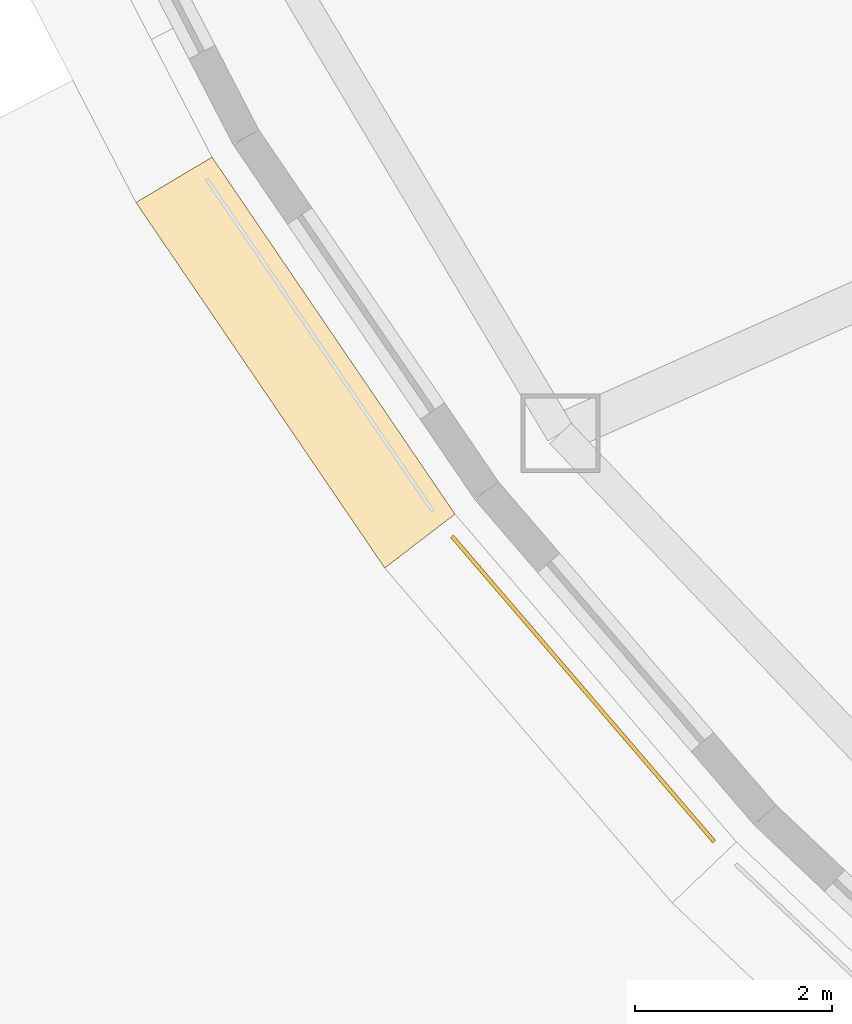
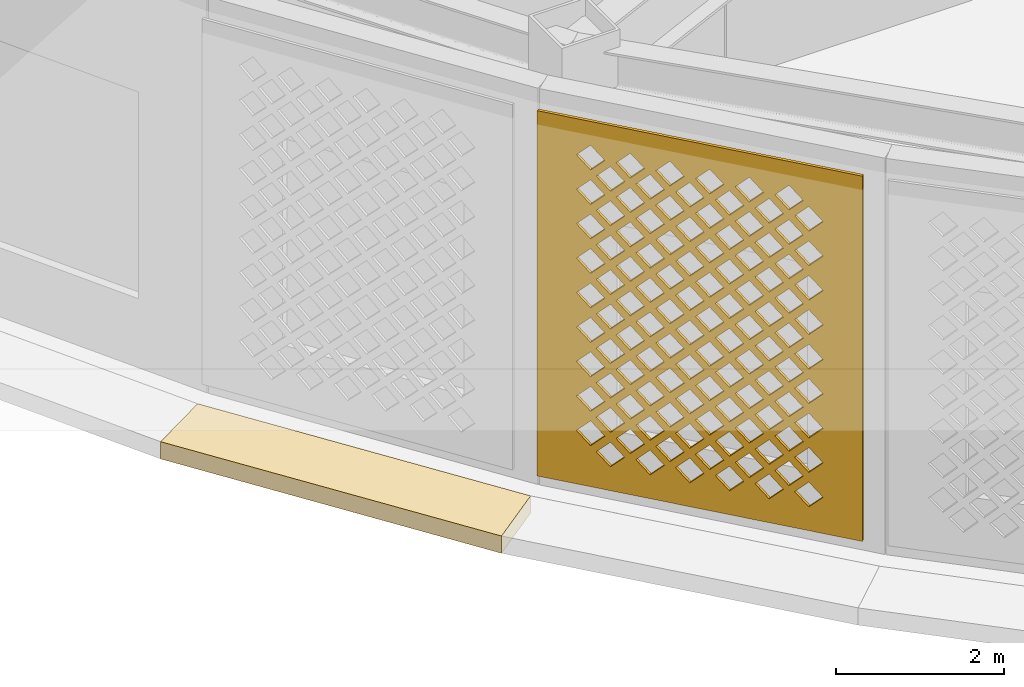
# One storey, part 38 of 74: 2 coverings.
"""IFC4 building model written with IfcOpenShell, lengths in metres."""

from ifc_helpers import new_model, si_unit, direction, frame, origin, place, context, subcontext, project, spatial, polyline, outline, extrude, material, layer, layer_set, type_object, element, save


model = new_model("IFC4")

# Units and contexts
model_context = context("Model", 3, precision=1e-05, world=origin(), true_north=direction((0.0, 1.0)))
body_context = subcontext(model_context, "Body", "Model", "MODEL_VIEW")
ifc_project = project(units=[si_unit("LENGTHUNIT", "METRE"), si_unit("AREAUNIT", "SQUARE_METRE"), si_unit("VOLUMEUNIT", "CUBIC_METRE"), si_unit("PLANEANGLEUNIT", "RADIAN"), si_unit("MASSUNIT", "GRAM", prefix="KILO")], contexts=[model_context])

# Site, building, storey
site_placement = place(None, origin())
site = spatial("IfcSite", under=ifc_project, at=site_placement, CompositionType="ELEMENT")
building_placement = place(site_placement, origin())
building = spatial("IfcBuilding", under=site, at=building_placement, Name="Noorbagh Ring Tower", CompositionType="ELEMENT")
storey_placement = place(building_placement, frame((0.0, 0.0, 7.5)))
storey = spatial("IfcBuildingStorey", under=building, at=storey_placement, Name="L01", CompositionType="ELEMENT", Elevation=7.5)

# Coverings
ifc_material_1 = material(Name="Red sandstone eave", Category="masonry")
covering_type_1 = type_object("IfcCoveringType", Name="STY-CHHAJJA", PredefinedType="USERDEFINED", material=ifc_material_1)
covering_1_placement = place(storey_placement, frame((0.0, 0.0, -0.25)))
element("IfcCovering", 1, at=covering_1_placement, inside=storey, type_object=covering_type_1, Name="Chhajja eave", ObjectType="CHHAJJA", PredefinedType="USERDEFINED", context=body_context, shape_type="SweptSolid", body=[
    extrude(outline(polyline([(-47.2431640625, -16.71337890625), (-44.77001953125, -20.346923828125), (-45.485595703125, -20.89501953125), (-48.017578125, -17.175048828125), (-47.2431640625, -16.71337890625)])), origin(), (0.0, 0.0, 1.0), 0.25),
])
ifc_material_2 = material(Name="Red sandstone jali", Category="masonry")
ifc_layer = layer(ifc_material_2, 0.0400390625)
ifc_layer_set = layer_set([ifc_layer], Name="Red sandstone jali")
covering_type_2 = type_object("IfcCoveringType", Name="STY-JALI", PredefinedType="USERDEFINED", material=ifc_layer_set)
covering_2_placement = place(storey_placement, frame((-44.81640625, -20.584716796875, 0.449951171875), z_axis=(-0.758717747284, -0.651419511495, 0.0), x_axis=(0.651419511495, -0.758717747284, 0.0)))
element("IfcCovering", 2, at=covering_2_placement, inside=storey, type_object=covering_type_2, Name="Jali screen", ObjectType="SCREEN", PredefinedType="USERDEFINED", context=body_context, shape_type="SweptSolid", body=[
    extrude(outline(polyline([(0.0, 0.0), (4.095703125, 0.0), (4.095703125, 5.300048828125), (0.0, 5.300048828125), (0.0, 0.0)]), holes=[polyline([(0.742919921875, 0.52490234375), (0.9228515625, 0.344970703125), (1.102783203125, 0.52490234375), (0.9228515625, 0.705078125), (0.742919921875, 0.52490234375)]), polyline([(1.242919921875, 0.52490234375), (1.4228515625, 0.344970703125), (1.602783203125, 0.52490234375), (1.4228515625, 0.705078125), (1.242919921875, 0.52490234375)]), polyline([(1.742919921875, 0.52490234375), (1.9228515625, 0.344970703125), (2.102783203125, 0.52490234375), (1.9228515625, 0.705078125), (1.742919921875, 0.52490234375)]), polyline([(2.242919921875, 0.52490234375), (2.4228515625, 0.344970703125), (2.602783203125, 0.52490234375), (2.4228515625, 0.705078125), (2.242919921875, 0.52490234375)]), polyline([(2.742919921875, 0.52490234375), (2.9228515625, 0.344970703125), (3.102783203125, 0.52490234375), (2.9228515625, 0.705078125), (2.742919921875, 0.52490234375)]), polyline([(3.242919921875, 0.52490234375), (3.4228515625, 0.344970703125), (3.602783203125, 0.52490234375), (3.4228515625, 0.705078125), (3.242919921875, 0.52490234375)]), polyline([(0.492919921875, 0.77490234375), (0.6728515625, 0.594970703125), (0.852783203125, 0.77490234375), (0.6728515625, 0.955078125), (0.492919921875, 0.77490234375)]), polyline([(0.992919921875, 0.77490234375), (1.1728515625, 0.594970703125), (1.352783203125, 0.77490234375), (1.1728515625, 0.955078125), (0.992919921875, 0.77490234375)]), polyline([(1.492919921875, 0.77490234375), (1.6728515625, 0.594970703125), (1.852783203125, 0.77490234375), (1.6728515625, 0.955078125), (1.492919921875, 0.77490234375)]), polyline([(1.992919921875, 0.77490234375), (2.1728515625, 0.594970703125), (2.352783203125, 0.77490234375), (2.1728515625, 0.955078125), (1.992919921875, 0.77490234375)]), polyline([(2.492919921875, 0.77490234375), (2.6728515625, 0.594970703125), (2.852783203125, 0.77490234375), (2.6728515625, 0.955078125), (2.492919921875, 0.77490234375)]), polyline([(2.992919921875, 0.77490234375), (3.1728515625, 0.594970703125), (3.352783203125, 0.77490234375), (3.1728515625, 0.955078125), (2.992919921875, 0.77490234375)]), polyline([(0.742919921875, 1.02490234375), (0.9228515625, 0.844970703125), (1.102783203125, 1.02490234375), (0.9228515625, 1.205078125), (0.742919921875, 1.02490234375)]), polyline([(1.242919921875, 1.02490234375), (1.4228515625, 0.844970703125), (1.602783203125, 1.02490234375), (1.4228515625, 1.205078125), (1.242919921875, 1.02490234375)]), polyline([(1.742919921875, 1.02490234375), (1.9228515625, 0.844970703125), (2.102783203125, 1.02490234375), (1.9228515625, 1.205078125), (1.742919921875, 1.02490234375)]), polyline([(2.242919921875, 1.02490234375), (2.4228515625, 0.844970703125), (2.602783203125, 1.02490234375), (2.4228515625, 1.205078125), (2.242919921875, 1.02490234375)]), polyline([(2.742919921875, 1.02490234375), (2.9228515625, 0.844970703125), (3.102783203125, 1.02490234375), (2.9228515625, 1.205078125), (2.742919921875, 1.02490234375)]), polyline([(3.242919921875, 1.02490234375), (3.4228515625, 0.844970703125), (3.602783203125, 1.02490234375), (3.4228515625, 1.205078125), (3.242919921875, 1.02490234375)]), polyline([(0.492919921875, 1.27490234375), (0.6728515625, 1.094970703125), (0.852783203125, 1.27490234375), (0.6728515625, 1.455078125), (0.492919921875, 1.27490234375)]), polyline([(0.992919921875, 1.27490234375), (1.1728515625, 1.094970703125), (1.352783203125, 1.27490234375), (1.1728515625, 1.455078125), (0.992919921875, 1.27490234375)]), polyline([(1.492919921875, 1.27490234375), (1.6728515625, 1.094970703125), (1.852783203125, 1.27490234375), (1.6728515625, 1.455078125), (1.492919921875, 1.27490234375)]), polyline([(1.992919921875, 1.27490234375), (2.1728515625, 1.094970703125), (2.352783203125, 1.27490234375), (2.1728515625, 1.455078125), (1.992919921875, 1.27490234375)]), polyline([(2.492919921875, 1.27490234375), (2.6728515625, 1.094970703125), (2.852783203125, 1.27490234375), (2.6728515625, 1.455078125), (2.492919921875, 1.27490234375)]), polyline([(2.992919921875, 1.27490234375), (3.1728515625, 1.094970703125), (3.352783203125, 1.27490234375), (3.1728515625, 1.455078125), (2.992919921875, 1.27490234375)]), polyline([(0.742919921875, 1.52490234375), (0.9228515625, 1.344970703125), (1.102783203125, 1.52490234375), (0.9228515625, 1.705078125), (0.742919921875, 1.52490234375)]), polyline([(1.242919921875, 1.52490234375), (1.4228515625, 1.344970703125), (1.602783203125, 1.52490234375), (1.4228515625, 1.705078125), (1.242919921875, 1.52490234375)]), polyline([(1.742919921875, 1.52490234375), (1.9228515625, 1.344970703125), (2.102783203125, 1.52490234375), (1.9228515625, 1.705078125), (1.742919921875, 1.52490234375)]), polyline([(2.242919921875, 1.52490234375), (2.4228515625, 1.344970703125), (2.602783203125, 1.52490234375), (2.4228515625, 1.705078125), (2.242919921875, 1.52490234375)]), polyline([(2.742919921875, 1.52490234375), (2.9228515625, 1.344970703125), (3.102783203125, 1.52490234375), (2.9228515625, 1.705078125), (2.742919921875, 1.52490234375)]), polyline([(3.242919921875, 1.52490234375), (3.4228515625, 1.344970703125), (3.602783203125, 1.52490234375), (3.4228515625, 1.705078125), (3.242919921875, 1.52490234375)]), polyline([(0.492919921875, 1.77490234375), (0.6728515625, 1.594970703125), (0.852783203125, 1.77490234375), (0.6728515625, 1.955078125), (0.492919921875, 1.77490234375)]), polyline([(0.992919921875, 1.77490234375), (1.1728515625, 1.594970703125), (1.352783203125, 1.77490234375), (1.1728515625, 1.955078125), (0.992919921875, 1.77490234375)]), polyline([(1.492919921875, 1.77490234375), (1.6728515625, 1.594970703125), (1.852783203125, 1.77490234375), (1.6728515625, 1.955078125), (1.492919921875, 1.77490234375)]), polyline([(1.992919921875, 1.77490234375), (2.1728515625, 1.594970703125), (2.352783203125, 1.77490234375), (2.1728515625, 1.955078125), (1.992919921875, 1.77490234375)]), polyline([(2.492919921875, 1.77490234375), (2.6728515625, 1.594970703125), (2.852783203125, 1.77490234375), (2.6728515625, 1.955078125), (2.492919921875, 1.77490234375)]), polyline([(2.992919921875, 1.77490234375), (3.1728515625, 1.594970703125), (3.352783203125, 1.77490234375), (3.1728515625, 1.955078125), (2.992919921875, 1.77490234375)]), polyline([(0.742919921875, 2.02490234375), (0.9228515625, 1.844970703125), (1.102783203125, 2.02490234375), (0.9228515625, 2.205078125), (0.742919921875, 2.02490234375)]), polyline([(1.242919921875, 2.02490234375), (1.4228515625, 1.844970703125), (1.602783203125, 2.02490234375), (1.4228515625, 2.205078125), (1.242919921875, 2.02490234375)]), polyline([(1.742919921875, 2.02490234375), (1.9228515625, 1.844970703125), (2.102783203125, 2.02490234375), (1.9228515625, 2.205078125), (1.742919921875, 2.02490234375)]), polyline([(2.242919921875, 2.02490234375), (2.4228515625, 1.844970703125), (2.602783203125, 2.02490234375), (2.4228515625, 2.205078125), (2.242919921875, 2.02490234375)]), polyline([(2.742919921875, 2.02490234375), (2.9228515625, 1.844970703125), (3.102783203125, 2.02490234375), (2.9228515625, 2.205078125), (2.742919921875, 2.02490234375)]), polyline([(3.242919921875, 2.02490234375), (3.4228515625, 1.844970703125), (3.602783203125, 2.02490234375), (3.4228515625, 2.205078125), (3.242919921875, 2.02490234375)]), polyline([(0.492919921875, 2.27490234375), (0.6728515625, 2.094970703125), (0.852783203125, 2.27490234375), (0.6728515625, 2.455078125), (0.492919921875, 2.27490234375)]), polyline([(0.992919921875, 2.27490234375), (1.1728515625, 2.094970703125), (1.352783203125, 2.27490234375), (1.1728515625, 2.455078125), (0.992919921875, 2.27490234375)]), polyline([(1.492919921875, 2.27490234375), (1.6728515625, 2.094970703125), (1.852783203125, 2.27490234375), (1.6728515625, 2.455078125), (1.492919921875, 2.27490234375)]), polyline([(1.992919921875, 2.27490234375), (2.1728515625, 2.094970703125), (2.352783203125, 2.27490234375), (2.1728515625, 2.455078125), (1.992919921875, 2.27490234375)]), polyline([(2.492919921875, 2.27490234375), (2.6728515625, 2.094970703125), (2.852783203125, 2.27490234375), (2.6728515625, 2.455078125), (2.492919921875, 2.27490234375)]), polyline([(2.992919921875, 2.27490234375), (3.1728515625, 2.094970703125), (3.352783203125, 2.27490234375), (3.1728515625, 2.455078125), (2.992919921875, 2.27490234375)]), polyline([(0.742919921875, 2.52490234375), (0.9228515625, 2.344970703125), (1.102783203125, 2.52490234375), (0.9228515625, 2.705078125), (0.742919921875, 2.52490234375)]), polyline([(1.242919921875, 2.52490234375), (1.4228515625, 2.344970703125), (1.602783203125, 2.52490234375), (1.4228515625, 2.705078125), (1.242919921875, 2.52490234375)]), polyline([(1.742919921875, 2.52490234375), (1.9228515625, 2.344970703125), (2.102783203125, 2.52490234375), (1.9228515625, 2.705078125), (1.742919921875, 2.52490234375)]), polyline([(2.242919921875, 2.52490234375), (2.4228515625, 2.344970703125), (2.602783203125, 2.52490234375), (2.4228515625, 2.705078125), (2.242919921875, 2.52490234375)]), polyline([(2.742919921875, 2.52490234375), (2.9228515625, 2.344970703125), (3.102783203125, 2.52490234375), (2.9228515625, 2.705078125), (2.742919921875, 2.52490234375)]), polyline([(3.242919921875, 2.52490234375), (3.4228515625, 2.344970703125), (3.602783203125, 2.52490234375), (3.4228515625, 2.705078125), (3.242919921875, 2.52490234375)]), polyline([(0.492919921875, 2.77490234375), (0.6728515625, 2.594970703125), (0.852783203125, 2.77490234375), (0.6728515625, 2.955078125), (0.492919921875, 2.77490234375)]), polyline([(0.992919921875, 2.77490234375), (1.1728515625, 2.594970703125), (1.352783203125, 2.77490234375), (1.1728515625, 2.955078125), (0.992919921875, 2.77490234375)]), polyline([(1.492919921875, 2.77490234375), (1.6728515625, 2.594970703125), (1.852783203125, 2.77490234375), (1.6728515625, 2.955078125), (1.492919921875, 2.77490234375)]), polyline([(1.992919921875, 2.77490234375), (2.1728515625, 2.594970703125), (2.352783203125, 2.77490234375), (2.1728515625, 2.955078125), (1.992919921875, 2.77490234375)]), polyline([(2.492919921875, 2.77490234375), (2.6728515625, 2.594970703125), (2.852783203125, 2.77490234375), (2.6728515625, 2.955078125), (2.492919921875, 2.77490234375)]), polyline([(2.992919921875, 2.77490234375), (3.1728515625, 2.594970703125), (3.352783203125, 2.77490234375), (3.1728515625, 2.955078125), (2.992919921875, 2.77490234375)]), polyline([(0.742919921875, 3.02490234375), (0.9228515625, 2.844970703125), (1.102783203125, 3.02490234375), (0.9228515625, 3.205078125), (0.742919921875, 3.02490234375)]), polyline([(1.242919921875, 3.02490234375), (1.4228515625, 2.844970703125), (1.602783203125, 3.02490234375), (1.4228515625, 3.205078125), (1.242919921875, 3.02490234375)]), polyline([(1.742919921875, 3.02490234375), (1.9228515625, 2.844970703125), (2.102783203125, 3.02490234375), (1.9228515625, 3.205078125), (1.742919921875, 3.02490234375)]), polyline([(2.242919921875, 3.02490234375), (2.4228515625, 2.844970703125), (2.602783203125, 3.02490234375), (2.4228515625, 3.205078125), (2.242919921875, 3.02490234375)]), polyline([(2.742919921875, 3.02490234375), (2.9228515625, 2.844970703125), (3.102783203125, 3.02490234375), (2.9228515625, 3.205078125), (2.742919921875, 3.02490234375)]), polyline([(3.242919921875, 3.02490234375), (3.4228515625, 2.844970703125), (3.602783203125, 3.02490234375), (3.4228515625, 3.205078125), (3.242919921875, 3.02490234375)]), polyline([(0.492919921875, 3.27490234375), (0.6728515625, 3.094970703125), (0.852783203125, 3.27490234375), (0.6728515625, 3.455078125), (0.492919921875, 3.27490234375)]), polyline([(0.992919921875, 3.27490234375), (1.1728515625, 3.094970703125), (1.352783203125, 3.27490234375), (1.1728515625, 3.455078125), (0.992919921875, 3.27490234375)]), polyline([(1.492919921875, 3.27490234375), (1.6728515625, 3.094970703125), (1.852783203125, 3.27490234375), (1.6728515625, 3.455078125), (1.492919921875, 3.27490234375)]), polyline([(1.992919921875, 3.27490234375), (2.1728515625, 3.094970703125), (2.352783203125, 3.27490234375), (2.1728515625, 3.455078125), (1.992919921875, 3.27490234375)]), polyline([(2.492919921875, 3.27490234375), (2.6728515625, 3.094970703125), (2.852783203125, 3.27490234375), (2.6728515625, 3.455078125), (2.492919921875, 3.27490234375)]), polyline([(2.992919921875, 3.27490234375), (3.1728515625, 3.094970703125), (3.352783203125, 3.27490234375), (3.1728515625, 3.455078125), (2.992919921875, 3.27490234375)]), polyline([(0.742919921875, 3.52490234375), (0.9228515625, 3.344970703125), (1.102783203125, 3.52490234375), (0.9228515625, 3.705078125), (0.742919921875, 3.52490234375)]), polyline([(1.242919921875, 3.52490234375), (1.4228515625, 3.344970703125), (1.602783203125, 3.52490234375), (1.4228515625, 3.705078125), (1.242919921875, 3.52490234375)]), polyline([(1.742919921875, 3.52490234375), (1.9228515625, 3.344970703125), (2.102783203125, 3.52490234375), (1.9228515625, 3.705078125), (1.742919921875, 3.52490234375)]), polyline([(2.242919921875, 3.52490234375), (2.4228515625, 3.344970703125), (2.602783203125, 3.52490234375), (2.4228515625, 3.705078125), (2.242919921875, 3.52490234375)]), polyline([(2.742919921875, 3.52490234375), (2.9228515625, 3.344970703125), (3.102783203125, 3.52490234375), (2.9228515625, 3.705078125), (2.742919921875, 3.52490234375)]), polyline([(3.242919921875, 3.52490234375), (3.4228515625, 3.344970703125), (3.602783203125, 3.52490234375), (3.4228515625, 3.705078125), (3.242919921875, 3.52490234375)]), polyline([(0.492919921875, 3.77490234375), (0.6728515625, 3.594970703125), (0.852783203125, 3.77490234375), (0.6728515625, 3.955078125), (0.492919921875, 3.77490234375)]), polyline([(0.992919921875, 3.77490234375), (1.1728515625, 3.594970703125), (1.352783203125, 3.77490234375), (1.1728515625, 3.955078125), (0.992919921875, 3.77490234375)]), polyline([(1.492919921875, 3.77490234375), (1.6728515625, 3.594970703125), (1.852783203125, 3.77490234375), (1.6728515625, 3.955078125), (1.492919921875, 3.77490234375)]), polyline([(1.992919921875, 3.77490234375), (2.1728515625, 3.594970703125), (2.352783203125, 3.77490234375), (2.1728515625, 3.955078125), (1.992919921875, 3.77490234375)]), polyline([(2.492919921875, 3.77490234375), (2.6728515625, 3.594970703125), (2.852783203125, 3.77490234375), (2.6728515625, 3.955078125), (2.492919921875, 3.77490234375)]), polyline([(2.992919921875, 3.77490234375), (3.1728515625, 3.594970703125), (3.352783203125, 3.77490234375), (3.1728515625, 3.955078125), (2.992919921875, 3.77490234375)]), polyline([(0.742919921875, 4.02490234375), (0.9228515625, 3.844970703125), (1.102783203125, 4.02490234375), (0.9228515625, 4.205078125), (0.742919921875, 4.02490234375)]), polyline([(1.242919921875, 4.02490234375), (1.4228515625, 3.844970703125), (1.602783203125, 4.02490234375), (1.4228515625, 4.205078125), (1.242919921875, 4.02490234375)]), polyline([(1.742919921875, 4.02490234375), (1.9228515625, 3.844970703125), (2.102783203125, 4.02490234375), (1.9228515625, 4.205078125), (1.742919921875, 4.02490234375)]), polyline([(2.242919921875, 4.02490234375), (2.4228515625, 3.844970703125), (2.602783203125, 4.02490234375), (2.4228515625, 4.205078125), (2.242919921875, 4.02490234375)]), polyline([(2.742919921875, 4.02490234375), (2.9228515625, 3.844970703125), (3.102783203125, 4.02490234375), (2.9228515625, 4.205078125), (2.742919921875, 4.02490234375)]), polyline([(3.242919921875, 4.02490234375), (3.4228515625, 3.844970703125), (3.602783203125, 4.02490234375), (3.4228515625, 4.205078125), (3.242919921875, 4.02490234375)]), polyline([(0.492919921875, 4.27490234375), (0.6728515625, 4.094970703125), (0.852783203125, 4.27490234375), (0.6728515625, 4.455078125), (0.492919921875, 4.27490234375)]), polyline([(0.992919921875, 4.27490234375), (1.1728515625, 4.094970703125), (1.352783203125, 4.27490234375), (1.1728515625, 4.455078125), (0.992919921875, 4.27490234375)]), polyline([(1.492919921875, 4.27490234375), (1.6728515625, 4.094970703125), (1.852783203125, 4.27490234375), (1.6728515625, 4.455078125), (1.492919921875, 4.27490234375)]), polyline([(1.992919921875, 4.27490234375), (2.1728515625, 4.094970703125), (2.352783203125, 4.27490234375), (2.1728515625, 4.455078125), (1.992919921875, 4.27490234375)]), polyline([(2.492919921875, 4.27490234375), (2.6728515625, 4.094970703125), (2.852783203125, 4.27490234375), (2.6728515625, 4.455078125), (2.492919921875, 4.27490234375)]), polyline([(2.992919921875, 4.27490234375), (3.1728515625, 4.094970703125), (3.352783203125, 4.27490234375), (3.1728515625, 4.455078125), (2.992919921875, 4.27490234375)]), polyline([(0.742919921875, 4.52490234375), (0.9228515625, 4.344970703125), (1.102783203125, 4.52490234375), (0.9228515625, 4.705078125), (0.742919921875, 4.52490234375)]), polyline([(1.242919921875, 4.52490234375), (1.4228515625, 4.344970703125), (1.602783203125, 4.52490234375), (1.4228515625, 4.705078125), (1.242919921875, 4.52490234375)]), polyline([(1.742919921875, 4.52490234375), (1.9228515625, 4.344970703125), (2.102783203125, 4.52490234375), (1.9228515625, 4.705078125), (1.742919921875, 4.52490234375)]), polyline([(2.242919921875, 4.52490234375), (2.4228515625, 4.344970703125), (2.602783203125, 4.52490234375), (2.4228515625, 4.705078125), (2.242919921875, 4.52490234375)]), polyline([(2.742919921875, 4.52490234375), (2.9228515625, 4.344970703125), (3.102783203125, 4.52490234375), (2.9228515625, 4.705078125), (2.742919921875, 4.52490234375)]), polyline([(3.242919921875, 4.52490234375), (3.4228515625, 4.344970703125), (3.602783203125, 4.52490234375), (3.4228515625, 4.705078125), (3.242919921875, 4.52490234375)]), polyline([(0.492919921875, 4.77490234375), (0.6728515625, 4.594970703125), (0.852783203125, 4.77490234375), (0.6728515625, 4.955078125), (0.492919921875, 4.77490234375)]), polyline([(0.992919921875, 4.77490234375), (1.1728515625, 4.594970703125), (1.352783203125, 4.77490234375), (1.1728515625, 4.955078125), (0.992919921875, 4.77490234375)]), polyline([(1.492919921875, 4.77490234375), (1.6728515625, 4.594970703125), (1.852783203125, 4.77490234375), (1.6728515625, 4.955078125), (1.492919921875, 4.77490234375)]), polyline([(1.992919921875, 4.77490234375), (2.1728515625, 4.594970703125), (2.352783203125, 4.77490234375), (2.1728515625, 4.955078125), (1.992919921875, 4.77490234375)]), polyline([(2.492919921875, 4.77490234375), (2.6728515625, 4.594970703125), (2.852783203125, 4.77490234375), (2.6728515625, 4.955078125), (2.492919921875, 4.77490234375)]), polyline([(2.992919921875, 4.77490234375), (3.1728515625, 4.594970703125), (3.352783203125, 4.77490234375), (3.1728515625, 4.955078125), (2.992919921875, 4.77490234375)])]), origin(), (0.0, 0.0, -1.0), 0.0400390625),
])

save(model, "model.ifc")
